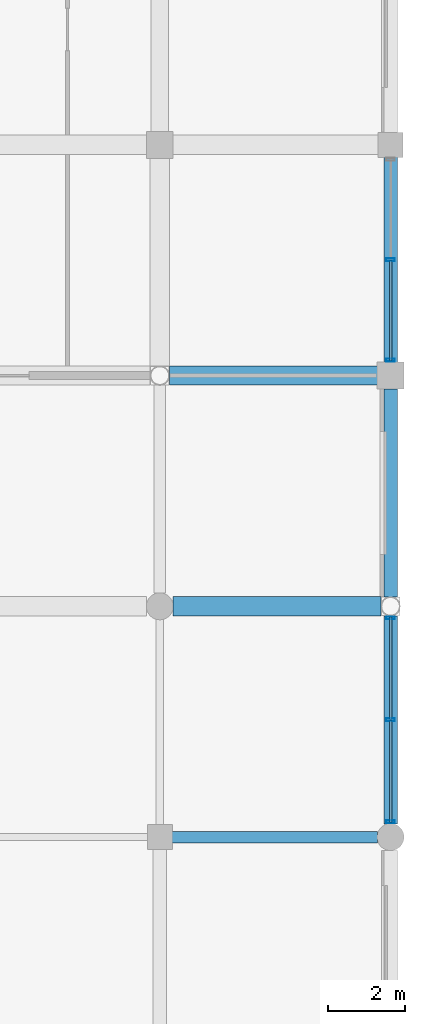
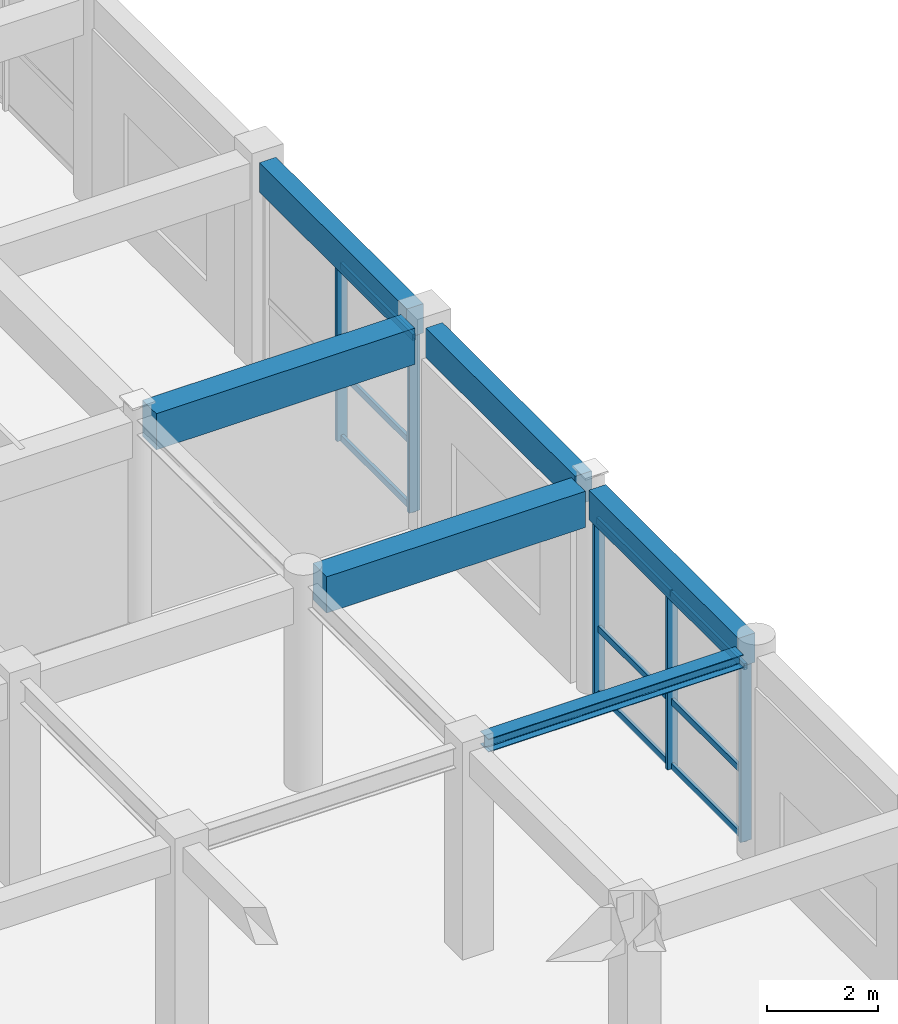
# One storey, part 63 of 112: 14 members, 6 beams, 2 elements without a shape of their own.
"""IFC4 building model written with IfcOpenShell, lengths in metres."""

from ifc_helpers import new_model, si_unit, direction, frame, origin, origin_2d, place, context, subcontext, project, spatial, rectangle, hollow_rectangle, i_section, extrude, material, material_profile, profile_set, type_object, element, aggregate, save


model = new_model("IFC4")

# Units and contexts
model_context = context("Model", 3, precision=1e-05, world=origin(), true_north=direction((0.0, 1.0)))
body_context = subcontext(model_context, "Body", "Model", "MODEL_VIEW")
ifc_project = project(units=[si_unit("LENGTHUNIT", "METRE"), si_unit("AREAUNIT", "SQUARE_METRE"), si_unit("VOLUMEUNIT", "CUBIC_METRE"), si_unit("PLANEANGLEUNIT", "RADIAN"), si_unit("MASSUNIT", "GRAM", prefix="KILO"), si_unit("THERMODYNAMICTEMPERATUREUNIT", "KELVIN"), si_unit("POWERUNIT", "WATT")], contexts=[model_context])

# Site, building, storey
site_placement = place(None, origin())
site = spatial("IfcSite", under=ifc_project, at=site_placement, CompositionType="ELEMENT")
building_placement = place(site_placement, origin())
building = spatial("IfcBuilding", under=site, at=building_placement, Name="Phaisarnlok Congress Hotel", CompositionType="ELEMENT")
storey_placement = place(building_placement, frame((0.0, 0.0, 19.800048828125)))
storey = spatial("IfcBuildingStorey", under=building, at=storey_placement, Name="L04", CompositionType="ELEMENT", Elevation=19.800048828125)

# Beams
ifc_material_1 = material(Name="Concrete C40/50", Category="concrete")
ifc_material_profile_1 = material_profile(ifc_material_1, rectangle(XDim=0.5, YDim=0.800048828125, at=origin_2d()), Name="RC 500x800")
ifc_profile_set_1 = profile_set([ifc_material_profile_1], Name="Concrete C40/50")
beam_type_1 = type_object("IfcBeamType", Name="BM-RC-500x800", PredefinedType="BEAM", material=ifc_profile_set_1)
for number, where, z_axis, x_axis, name in (
    (1, (174.344970703125, 54.0, 4.14990234375), (1.0, 0.0, 0.0), (0.0, 1.0, 0.0), "Beam B-04"),
    (2, (174.2490234375, 60.0, 4.14990234375), (1.0, 0.0, 0.0), (0.0, 1.0, 0.0), "Beam B-04"),
):
    element("IfcBeam", number, at=place(storey_placement, frame(where, z_axis=z_axis, x_axis=x_axis)), inside=storey, type_object=beam_type_1, Name=name, PredefinedType="BEAM", context=body_context, shape_type="SweptSolid", body=[
        extrude(rectangle(XDim=0.5, YDim=0.800048828125, at=origin_2d()), origin(), (0.0, 0.0, 1.0), 5.406005859375),
    ])
ifc_material_2 = material(Name="Steel S355", Category="steel")
ifc_material_profile_2 = material_profile(ifc_material_2, i_section(OverallWidth=0.300048828125, OverallDepth=0.2900390625, WebThickness=0.008544921875, FlangeThickness=0.013916015625, FilletRadius=0.027099609375, at=origin_2d()), Name="HEA 300")
ifc_profile_set_2 = profile_set([ifc_material_profile_2], Name="Steel S355")
beam_type_2 = type_object("IfcBeamType", Name="BM-STL-HEA300", PredefinedType="BEAM", material=ifc_profile_set_2)
beam_1_placement = place(storey_placement, frame((174.320068359375, 48.0, 4.405029296875), z_axis=(1.0, 0.0, 0.0), x_axis=(0.0, 1.0, 0.0)))
element("IfcBeam", 3, at=beam_1_placement, inside=storey, type_object=beam_type_2, Name="Beam SB-05", PredefinedType="BEAM", context=body_context, shape_type="SweptSolid", body=[
    extrude(i_section(OverallWidth=0.300048828125, OverallDepth=0.2900390625, WebThickness=0.008544921875, FlangeThickness=0.013916015625, FilletRadius=0.027099609375, at=origin_2d()), origin(), (0.0, 0.0, 1.0), 5.3349609375),
])

# Curtain wall, members
ifc_material_3 = material(Name="Thermally Broken Unitised Aluminium & Low-E Glazing", Category="aluminium")
curtain_wall_type_1 = type_object("IfcCurtainWallType", Name="CW-UNIT-34", PredefinedType="NOTDEFINED", material=ifc_material_3)
curtain_wall_1_placement = place(storey_placement, origin())
curtain_wall_1 = element("IfcCurtainWall", 4, at=curtain_wall_1_placement, inside=storey, type_object=curtain_wall_type_1, Name="Unitised curtain wall CW-34 (L04)", PredefinedType="NOTDEFINED")
ifc_material_4 = material(Name="Anodised Aluminium Alloy 6063-T6", Category="aluminium")
ifc_material_profile_3 = material_profile(ifc_material_4, hollow_rectangle(XDim=0.074951171875, YDim=0.219970703125, WallThickness=0.0048828125, at=origin_2d()), Name="ALU-M 75x220x5")
ifc_profile_set_3 = profile_set([ifc_material_profile_3], Name="Anodised Aluminium Alloy 6063-T6")
member_type_1 = type_object("IfcMemberType", Name="CWM-220", PredefinedType="MULLION", material=ifc_profile_set_3)
member_1_placement = place(storey_placement, frame((180.0, 48.39990234375, 0.0), z_axis=(0.0, 0.0, 1.0), x_axis=(0.0, 1.0, 0.0)))
member_1 = element("IfcMember", 5, at=member_1_placement, type_object=member_type_1, Name="Curtain wall mullion CWM-02", PredefinedType="MULLION", context=body_context, shape_type="SweptSolid", body=[
    extrude(hollow_rectangle(XDim=0.074951171875, YDim=0.219970703125, WallThickness=0.0048828125, at=origin_2d()), origin(), (0.0, 0.0, 1.0), 3.89990234375),
])
member_2_placement = place(storey_placement, frame((180.0, 51.048095703125, 0.0), z_axis=(0.0, 0.0, 1.0), x_axis=(0.0, 1.0, 0.0)))
member_2 = element("IfcMember", 6, at=member_2_placement, type_object=member_type_1, Name="Curtain wall mullion CWM-02", PredefinedType="MULLION", context=body_context, shape_type="SweptSolid", body=[
    extrude(hollow_rectangle(XDim=0.074951171875, YDim=0.219970703125, WallThickness=0.0048828125, at=origin_2d()), origin(), (0.0, 0.0, 1.0), 3.89990234375),
])
member_3_placement = place(storey_placement, frame((180.0, 53.696044921875, 0.0), z_axis=(0.0, 0.0, 1.0), x_axis=(0.0, 1.0, 0.0)))
member_3 = element("IfcMember", 7, at=member_3_placement, type_object=member_type_1, Name="Curtain wall mullion CWM-02", PredefinedType="MULLION", context=body_context, shape_type="SweptSolid", body=[
    extrude(hollow_rectangle(XDim=0.074951171875, YDim=0.219970703125, WallThickness=0.0048828125, at=origin_2d()), origin(), (0.0, 0.0, 1.0), 3.89990234375),
])

curtain_wall_type_2 = type_object("IfcCurtainWallType", Name="CW-UNIT-33", PredefinedType="NOTDEFINED", material=ifc_material_3)
curtain_wall_2_placement = place(storey_placement, origin())
curtain_wall_2 = element("IfcCurtainWall", 8, at=curtain_wall_2_placement, inside=storey, type_object=curtain_wall_type_2, Name="Unitised curtain wall CW-33 (L04)", PredefinedType="NOTDEFINED")
member_4_placement = place(storey_placement, frame((180.0, 60.39990234375, 0.0), z_axis=(0.0, 0.0, 1.0), x_axis=(0.0, 1.0, 0.0)))
member_4 = element("IfcMember", 9, at=member_4_placement, type_object=member_type_1, Name="Curtain wall mullion CWM-02", PredefinedType="MULLION", context=body_context, shape_type="SweptSolid", body=[
    extrude(hollow_rectangle(XDim=0.074951171875, YDim=0.219970703125, WallThickness=0.0048828125, at=origin_2d()), origin(), (0.0, 0.0, 1.0), 3.89990234375),
])
member_5_placement = place(storey_placement, frame((180.0, 63.012451171875, 0.0), z_axis=(0.0, 0.0, 1.0), x_axis=(0.0, 1.0, 0.0)))
member_5 = element("IfcMember", 10, at=member_5_placement, type_object=member_type_1, Name="Curtain wall mullion CWM-02", PredefinedType="MULLION", context=body_context, shape_type="SweptSolid", body=[
    extrude(hollow_rectangle(XDim=0.074951171875, YDim=0.219970703125, WallThickness=0.0048828125, at=origin_2d()), origin(), (0.0, 0.0, 1.0), 3.89990234375),
])

# Member
ifc_material_profile_4 = material_profile(ifc_material_4, hollow_rectangle(XDim=0.06494140625, YDim=0.139892578125, WallThickness=0.00390625, at=origin_2d()), Name="ALU-T 65x140x4")
ifc_profile_set_4 = profile_set([ifc_material_profile_4], Name="Anodised Aluminium Alloy 6063-T6")
member_type_2 = type_object("IfcMemberType", Name="CWT-150", PredefinedType="USERDEFINED", material=ifc_profile_set_4)
member_6_placement = place(storey_placement, frame((180.0, 48.375, 0.050048828125), z_axis=(0.0, 1.0, 0.0), x_axis=(-1.0, 0.0, 0.0)))
member_6 = element("IfcMember", 11, at=member_6_placement, type_object=member_type_2, Name="Curtain wall transom CWT-01", ObjectType="TRANSOM", PredefinedType="USERDEFINED", context=body_context, shape_type="SweptSolid", body=[
    extrude(hollow_rectangle(XDim=0.06494140625, YDim=0.139892578125, WallThickness=0.00390625, at=origin_2d()), origin(), (0.0, 0.0, 1.0), 2.657958984375),
])

member_7_placement = place(storey_placement, frame((180.0, 48.375, 1.48193359375), z_axis=(0.0, 1.0, 0.0), x_axis=(-1.0, 0.0, 0.0)))
member_7 = element("IfcMember", 12, at=member_7_placement, type_object=member_type_2, Name="Curtain wall transom CWT-01", ObjectType="TRANSOM", PredefinedType="USERDEFINED", context=body_context, shape_type="SweptSolid", body=[
    extrude(hollow_rectangle(XDim=0.06494140625, YDim=0.139892578125, WallThickness=0.00390625, at=origin_2d()), origin(), (0.0, 0.0, 1.0), 2.657958984375),
])

member_8_placement = place(storey_placement, frame((180.0, 48.375, 3.849853515625), z_axis=(0.0, 1.0, 0.0), x_axis=(-1.0, 0.0, 0.0)))
member_8 = element("IfcMember", 13, at=member_8_placement, type_object=member_type_2, Name="Curtain wall transom CWT-01", ObjectType="TRANSOM", PredefinedType="USERDEFINED", context=body_context, shape_type="SweptSolid", body=[
    extrude(hollow_rectangle(XDim=0.06494140625, YDim=0.139892578125, WallThickness=0.00390625, at=origin_2d()), origin(), (0.0, 0.0, 1.0), 2.657958984375),
])

member_9_placement = place(storey_placement, frame((180.0, 51.06298828125, 0.050048828125), z_axis=(0.0, 1.0, 0.0), x_axis=(-1.0, 0.0, 0.0)))
member_9 = element("IfcMember", 14, at=member_9_placement, type_object=member_type_2, Name="Curtain wall transom CWT-01", ObjectType="TRANSOM", PredefinedType="USERDEFINED", context=body_context, shape_type="SweptSolid", body=[
    extrude(hollow_rectangle(XDim=0.06494140625, YDim=0.139892578125, WallThickness=0.00390625, at=origin_2d()), origin(), (0.0, 0.0, 1.0), 2.657958984375),
])

member_10_placement = place(storey_placement, frame((180.0, 51.06298828125, 1.48193359375), z_axis=(0.0, 1.0, 0.0), x_axis=(-1.0, 0.0, 0.0)))
member_10 = element("IfcMember", 15, at=member_10_placement, type_object=member_type_2, Name="Curtain wall transom CWT-01", ObjectType="TRANSOM", PredefinedType="USERDEFINED", context=body_context, shape_type="SweptSolid", body=[
    extrude(hollow_rectangle(XDim=0.06494140625, YDim=0.139892578125, WallThickness=0.00390625, at=origin_2d()), origin(), (0.0, 0.0, 1.0), 2.657958984375),
])

member_11_placement = place(storey_placement, frame((180.0, 51.06298828125, 3.849853515625), z_axis=(0.0, 1.0, 0.0), x_axis=(-1.0, 0.0, 0.0)))
member_11 = element("IfcMember", 16, at=member_11_placement, type_object=member_type_2, Name="Curtain wall transom CWT-01", ObjectType="TRANSOM", PredefinedType="USERDEFINED", context=body_context, shape_type="SweptSolid", body=[
    extrude(hollow_rectangle(XDim=0.06494140625, YDim=0.139892578125, WallThickness=0.00390625, at=origin_2d()), origin(), (0.0, 0.0, 1.0), 2.657958984375),
])

aggregate(curtain_wall_1, [member_1, member_2, member_3, member_6, member_7, member_8, member_9, member_10, member_11])

member_12_placement = place(storey_placement, frame((180.0, 60.375, 0.050048828125), z_axis=(0.0, 1.0, 0.0), x_axis=(-1.0, 0.0, 0.0)))
member_12 = element("IfcMember", 17, at=member_12_placement, type_object=member_type_2, Name="Curtain wall transom CWT-01", ObjectType="TRANSOM", PredefinedType="USERDEFINED", context=body_context, shape_type="SweptSolid", body=[
    extrude(hollow_rectangle(XDim=0.06494140625, YDim=0.139892578125, WallThickness=0.00390625, at=origin_2d()), origin(), (0.0, 0.0, 1.0), 2.62255859375),
])

member_13_placement = place(storey_placement, frame((180.0, 60.375, 1.48193359375), z_axis=(0.0, 1.0, 0.0), x_axis=(-1.0, 0.0, 0.0)))
member_13 = element("IfcMember", 18, at=member_13_placement, type_object=member_type_2, Name="Curtain wall transom CWT-01", ObjectType="TRANSOM", PredefinedType="USERDEFINED", context=body_context, shape_type="SweptSolid", body=[
    extrude(hollow_rectangle(XDim=0.06494140625, YDim=0.139892578125, WallThickness=0.00390625, at=origin_2d()), origin(), (0.0, 0.0, 1.0), 2.62255859375),
])

member_14_placement = place(storey_placement, frame((180.0, 60.375, 3.849853515625), z_axis=(0.0, 1.0, 0.0), x_axis=(-1.0, 0.0, 0.0)))
member_14 = element("IfcMember", 19, at=member_14_placement, type_object=member_type_2, Name="Curtain wall transom CWT-01", ObjectType="TRANSOM", PredefinedType="USERDEFINED", context=body_context, shape_type="SweptSolid", body=[
    extrude(hollow_rectangle(XDim=0.06494140625, YDim=0.139892578125, WallThickness=0.00390625, at=origin_2d()), origin(), (0.0, 0.0, 1.0), 2.62255859375),
])

aggregate(curtain_wall_2, [member_4, member_5, member_12, member_13, member_14])

# Beams
ifc_material_profile_5 = material_profile(ifc_material_1, rectangle(XDim=0.35009765625, YDim=0.64990234375, at=origin_2d()), Name="RC 350x650")
ifc_profile_set_5 = profile_set([ifc_material_profile_5], Name="Concrete C40/50")
beam_type_3 = type_object("IfcBeamType", Name="SP-RC-350x650", PredefinedType="SPANDREL", material=ifc_profile_set_5)
for number, where, z_axis, x_axis, name in (
    (20, (180.0, 48.344970703125, 4.224853515625), (0.0, 1.0, 0.0), (-1.0, 0.0, 0.0), "Beam SP-01"),
    (21, (180.0, 54.2490234375, 4.224853515625), (0.0, 1.0, 0.0), (-1.0, 0.0, 0.0), "Beam SP-01"),
):
    element("IfcBeam", number, at=place(storey_placement, frame(where, z_axis=z_axis, x_axis=x_axis)), inside=storey, type_object=beam_type_3, Name=name, PredefinedType="SPANDREL", context=body_context, shape_type="SweptSolid", body=[
        extrude(rectangle(XDim=0.35009765625, YDim=0.64990234375, at=origin_2d()), origin(), (0.0, 0.0, 1.0), 5.406005859375),
    ])
beam_2_placement = place(storey_placement, frame((180.0, 60.344970703125, 4.224853515625), z_axis=(0.0, 1.0, 0.0), x_axis=(-1.0, 0.0, 0.0)))
element("IfcBeam", 22, at=beam_2_placement, inside=storey, type_object=beam_type_3, Name="Beam SP-01", PredefinedType="SPANDREL", context=body_context, shape_type="SweptSolid", body=[
    extrude(rectangle(XDim=0.35009765625, YDim=0.64990234375, at=origin_2d()), origin(), (0.0, 0.0, 1.0), 5.3349609375),
])

save(model, "model.ifc")
